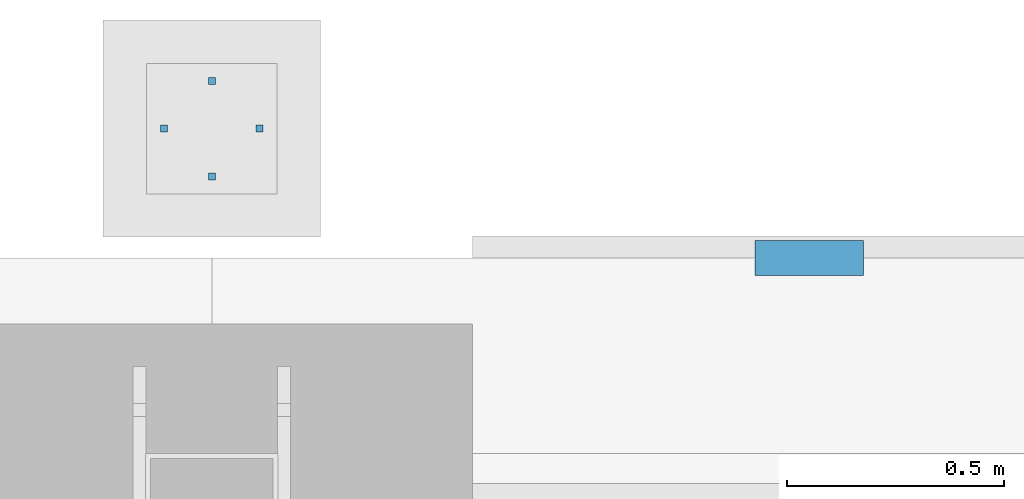
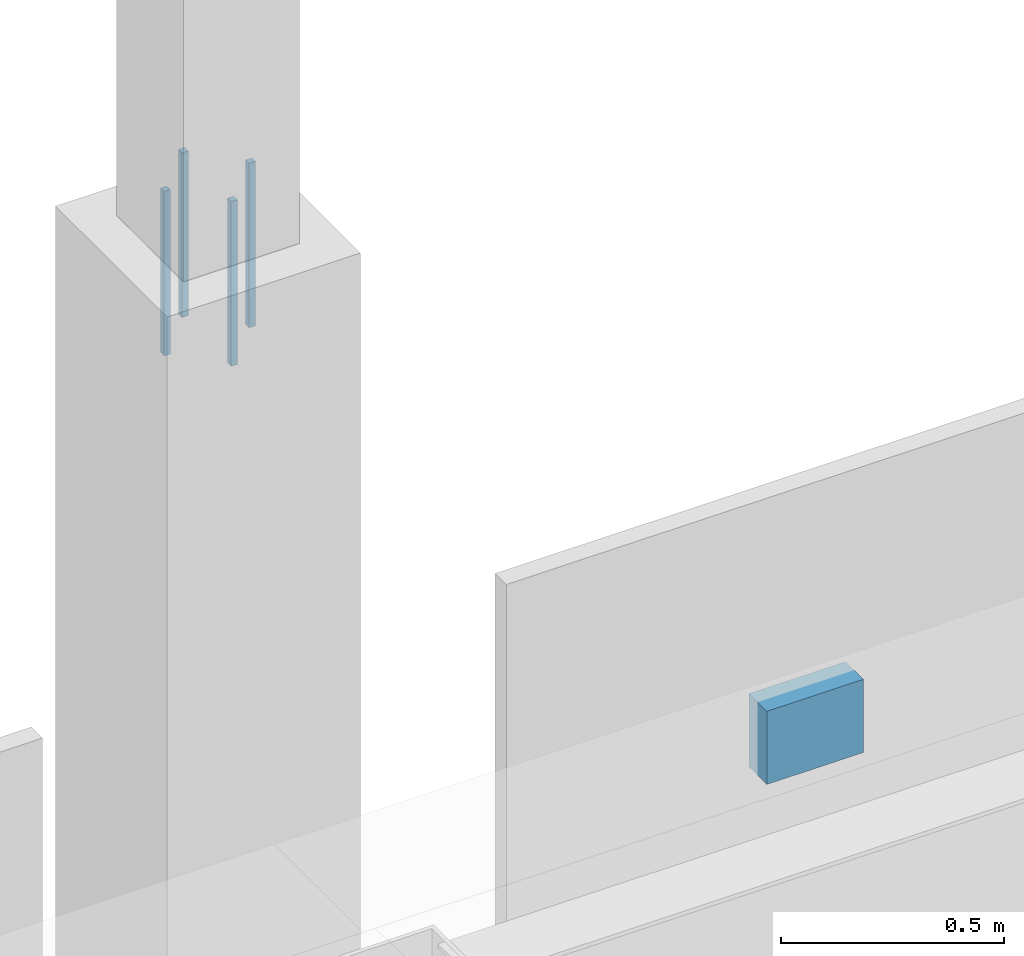
# One storey, part 236 of 278: 4 mechanical fasteners, 1 discrete accessory.
"""IFC4 building model written with IfcOpenShell, lengths in metres."""

import ifcopenshell
import ifcopenshell.guid

model = None  # the IFC model being written
_history = None  # IfcOwnerHistory: only IFC2X3 demands one
_inside = {}  # id of a spatial element -> (the spatial element, [elements in it])
_under = {}  # id of a project, library or spatial element -> (it, [spatial elements below it])
_declared = {}  # id of a project -> (the project, [libraries it declares])
_typed = {}  # id of a type object -> (the type object, [elements of that type])
_made_of = {}  # id of a material, layer set ... -> (it, [elements and type objects made of it])


def new_model(schema):
    """Start an empty IFC model of exactly this schema.

    Asked for "IFC4X3", IfcOpenShell would pick the latest addendum, in which some entities
    have other attributes; the version numbers below select the first issue.
    IFC2X3 requires an IfcOwnerHistory on every rooted entity: one is made here for all.
    """
    global model, _history
    if schema == "IFC4X3":
        model = ifcopenshell.file(schema_version=(4, 3, 0, 0))
    else:
        model = ifcopenshell.file(schema=schema)
    _inside.clear()
    _under.clear()
    _declared.clear()
    _typed.clear()
    _made_of.clear()
    _history = None
    if model.schema == "IFC2X3":
        org = make("IfcOrganization", Name="unknown")
        user = make(
            "IfcPersonAndOrganization",
            ThePerson=make("IfcPerson", FamilyName="unknown"),
            TheOrganization=org,
        )
        app = make(
            "IfcApplication",
            ApplicationDeveloper=org,
            Version="unknown",
            ApplicationFullName="unknown",
            ApplicationIdentifier="unknown",
        )
        _history = make(
            "IfcOwnerHistory",
            OwningUser=user,
            OwningApplication=app,
            ChangeAction="ADDED",
            CreationDate=0,
        )
    return model


def make(cls, **values):
    """One entity of the class cls with the attributes given. An attribute that is None is left unset."""
    return model.create_entity(
        cls, **{name: value for name, value in values.items() if value is not None}
    )


def rooted(cls, **values):
    """An entity with a GlobalId (a new one), such as an element, a storey or a relation."""
    return make(cls, GlobalId=ifcopenshell.guid.new(), OwnerHistory=_history, **values)


def si_unit(unit_type, name, prefix=None):
    """IfcSIUnit, for example si_unit("LENGTHUNIT", "METRE", prefix="MILLI")."""
    return make("IfcSIUnit", UnitType=unit_type, Prefix=prefix, Name=name)


def assignment(units):
    """IfcUnitAssignment: the units of a project."""
    return None if units is None else make("IfcUnitAssignment", Units=units)


def point(xyz):
    """IfcCartesianPoint."""
    return None if xyz is None else make("IfcCartesianPoint", Coordinates=xyz)


def direction(xyz):
    """IfcDirection."""
    return None if xyz is None else make("IfcDirection", DirectionRatios=xyz)


def frame(location, z_axis=None, x_axis=None):
    """IfcAxis2Placement3D, a coordinate frame: its origin and axes. An axis left out is left unset."""
    return make(
        "IfcAxis2Placement3D",
        Location=point(location),
        Axis=direction(z_axis),
        RefDirection=direction(x_axis),
    )


def frame_2d(location, x_axis=None):
    """IfcAxis2Placement2D, a coordinate frame in the plane: its origin and x axis."""
    return make(
        "IfcAxis2Placement2D", Location=point(location), RefDirection=direction(x_axis)
    )


def origin():
    """The frame at (0, 0, 0) with its axes left unset."""
    return frame((0.0, 0.0, 0.0))


def origin_2d():
    """The frame at (0, 0) in the plane with its x axis left unset."""
    return frame_2d((0.0, 0.0))


def place(relative_to, where):
    """IfcLocalPlacement: puts the frame where relative to a parent placement (None: the world)."""
    return make(
        "IfcLocalPlacement", PlacementRelTo=relative_to, RelativePlacement=where
    )


def context(
    kind, dimensions, precision=None, world=None, true_north=None, identifier=None
):
    """IfcGeometricRepresentationContext, for example the 3D "Model" context."""
    return make(
        "IfcGeometricRepresentationContext",
        ContextIdentifier=identifier,
        ContextType=kind,
        CoordinateSpaceDimension=dimensions,
        Precision=precision,
        WorldCoordinateSystem=world,
        TrueNorth=true_north,
    )


def subcontext(parent, identifier, kind, view, scale=None):
    """IfcGeometricRepresentationSubContext, for example "Body" below "Model"."""
    return make(
        "IfcGeometricRepresentationSubContext",
        ContextIdentifier=identifier,
        ContextType=kind,
        ParentContext=parent,
        TargetScale=scale,
        TargetView=view,
    )


def project(units=None, contexts=None):
    """IfcProject with its units and contexts."""
    return rooted(
        "IfcProject",
        Name="project",
        RepresentationContexts=contexts,
        UnitsInContext=assignment(units),
    )


def spatial(cls, under=None, at=None, **own):
    """A site, building, storey or space (cls), placed at a placement, below another one or the project."""
    s = rooted(cls, ObjectPlacement=at, **own)
    if under is not None:
        _under.setdefault(under.id(), (under, []))[1].append(s)
    return s


def profile(cls, at=None, kind="AREA", **sizes):
    """A parametric profile (cls). Its sizes go by their IFC names, for example OverallWidth=200.0."""
    return make(cls, ProfileType=kind, Position=at, **sizes)


def rectangle(**sizes):
    """IfcRectangleProfileDef."""
    return profile("IfcRectangleProfileDef", **sizes)


def extrude(swept, where, along, depth):
    """IfcExtrudedAreaSolid: the profile swept, set in the frame where, extruded along a direction by depth."""
    return make(
        "IfcExtrudedAreaSolid",
        SweptArea=swept,
        Position=where,
        ExtrudedDirection=direction(along),
        Depth=depth,
    )


def shape(context_of_items, identifier, shape_type, items):
    """IfcShapeRepresentation: the items that make up one representation, for example the "Body"."""
    return make(
        "IfcShapeRepresentation",
        ContextOfItems=context_of_items,
        RepresentationIdentifier=identifier,
        RepresentationType=shape_type,
        Items=items,
    )


def material(Name=None, Category=None):
    """IfcMaterial."""
    return make("IfcMaterial", Name=Name, Category=Category)


def layer(
    of_material, thickness, ventilated=None, Name=None, Category=None, Priority=None
):
    """IfcMaterialLayer: one layer of a wall or slab, of a material (None: an air gap)."""
    return make(
        "IfcMaterialLayer",
        Material=of_material,
        LayerThickness=thickness,
        IsVentilated=ventilated,
        Name=Name,
        Category=Category,
        Priority=Priority,
    )


def layer_set(layers, Name=None):
    """IfcMaterialLayerSet."""
    return make("IfcMaterialLayerSet", MaterialLayers=layers, LayerSetName=Name)


def made_of(thing, what):
    """Note that an element or type object is made of a material, layer set ...; save() writes the relation."""
    if what is not None:
        _made_of.setdefault(what.id(), (what, []))[1].append(thing)
    return thing


def type_object(cls, material=None, **own):
    """A type object (cls), such as IfcWallType, which elements share."""
    return made_of(rooted(cls, **own), material)


def element(
    cls,
    number,
    at=None,
    inside=None,
    cuts=None,
    type_object=None,
    material=None,
    context=None,
    identifier="Body",
    shape_type=None,
    held_by="IfcProductDefinitionShape",
    body=None,
    shapes=None,
    **own,
):
    """One element of the class cls, such as IfcWall. Its Tag is "e" and its number.

    at: its placement. inside: the storey or other place that contains it. cuts: it is an
    opening in that element (IfcRelVoidsElement). A single representation is given by context,
    identifier, shape_type and body (its items); several are given by shapes. held_by: the class
    of the entity that holds the representations. save() writes the other relations.
    """
    e = rooted(cls, Tag="e%d" % number, ObjectPlacement=at, **own)
    if body is not None:
        shapes = [shape(context, identifier, shape_type, body)]
    if shapes is not None:
        e.Representation = make(held_by, Representations=shapes)
    if inside is not None:
        _inside.setdefault(inside.id(), (inside, []))[1].append(e)
    if cuts is not None:
        rooted(
            "IfcRelVoidsElement", RelatingBuildingElement=cuts, RelatedOpeningElement=e
        )
    if type_object is not None:
        _typed.setdefault(type_object.id(), (type_object, []))[1].append(e)
    return made_of(e, material)


def aggregate(whole, parts):
    """IfcRelAggregates: a whole, such as a stair, and the parts it consists of."""
    return rooted("IfcRelAggregates", RelatingObject=whole, RelatedObjects=parts)


def save(model, path):
    """Write the relations noted so far, then the file.

    IfcRelAggregates (storeys below a building ...), IfcRelContainedInSpatialStructure (elements
    in a storey), IfcRelDefinesByType, IfcRelAssociatesMaterial and IfcRelDeclares: one each for
    every whole, place, type object, material and project.
    """
    for whole, parts in _under.values():
        aggregate(whole, parts)
    for where, things in _inside.values():
        rooted(
            "IfcRelContainedInSpatialStructure",
            RelatedElements=things,
            RelatingStructure=where,
        )
    for kind, things in _typed.values():
        rooted("IfcRelDefinesByType", RelatedObjects=things, RelatingType=kind)
    for what, things in _made_of.values():
        rooted("IfcRelAssociatesMaterial", RelatedObjects=things, RelatingMaterial=what)
    for by, libraries in _declared.values():
        rooted("IfcRelDeclares", RelatingContext=by, RelatedDefinitions=libraries)
    model.write(path)


model = new_model("IFC4")

# Units and contexts
model_context = context("Model", 3, precision=1e-05, world=origin(), true_north=direction((0.0, 1.0)))
body_context = subcontext(model_context, "Body", "Model", "MODEL_VIEW")
ifc_project = project(units=[si_unit("LENGTHUNIT", "METRE"), si_unit("AREAUNIT", "SQUARE_METRE"), si_unit("VOLUMEUNIT", "CUBIC_METRE"), si_unit("PLANEANGLEUNIT", "RADIAN"), si_unit("MASSUNIT", "GRAM", prefix="KILO")], contexts=[model_context])

# Site, building, storey
site_placement = place(None, origin())
site = spatial("IfcSite", under=ifc_project, at=site_placement, CompositionType="ELEMENT")
building_placement = place(site_placement, origin())
building = spatial("IfcBuilding", under=site, at=building_placement, Name="Ogive Plaza Stadium", CompositionType="ELEMENT")
storey_placement = place(building_placement, frame((0.0, 0.0, 29.0)))
storey = spatial("IfcBuildingStorey", under=building, at=storey_placement, Name="Roof", CompositionType="ELEMENT", Elevation=29.0)

# Mechanical fasteners
ifc_material_1 = material(Name="Steel ASTM A992 Grade 50", Category="steel")
mechanical_fastener_type = type_object("IfcMechanicalFastenerType", Name="Spire anchor bolt M16 x 450", PredefinedType="ANCHORBOLT", material=ifc_material_1)
for number, where, z_axis, x_axis, name in (
    (1, (-6.800048828125, 103.510009765625, 6.7001953125), (0.0, 0.0, 1.0), (0.0, 1.0, 0.0), "SPIRE ANCHOR BOLT 34 1"),
    (2, (-6.800048828125, 103.2900390625, 6.7001953125), (0.0, 0.0, 1.0), (0.0, 1.0, 0.0), "SPIRE ANCHOR BOLT 34 2"),
    (3, (-6.909912109375, 103.39990234375, 6.7001953125), (0.0, 0.0, 1.0), (0.0, 1.0, 0.0), "SPIRE ANCHOR BOLT 34 3"),
    (4, (-6.68994140625, 103.39990234375, 6.7001953125), (0.0, 0.0, 1.0), (0.0, 1.0, 0.0), "SPIRE ANCHOR BOLT 34 4"),
):
    element("IfcMechanicalFastener", number, at=place(storey_placement, frame(where, z_axis=z_axis, x_axis=x_axis)), inside=storey, type_object=mechanical_fastener_type, Name=name, PredefinedType="ANCHORBOLT", context=body_context, shape_type="SweptSolid", body=[
        extrude(rectangle(XDim=0.01611328125, YDim=0.01611328125, at=origin_2d()), origin(), (0.0, 0.0, 1.0), 0.449951171875),
    ])

# Discrete accessory
ifc_material_2 = material(Name="Steel ASTM A572 Grade 50", Category="steel")
ifc_layer = layer(ifc_material_2, 0.080078125)
ifc_layer_set = layer_set([ifc_layer], Name="Steel ASTM A572 Grade 50")
discrete_accessory_type = type_object("IfcDiscreteAccessoryType", Name="Tracery screen bracket 250x200", PredefinedType="BRACKET", material=ifc_layer_set)
discrete_accessory_placement = place(storey_placement, frame((-5.425048828125, 103.102294921875, 5.25), z_axis=(0.0, 0.0, 1.0), x_axis=(1.0, 0.0, 0.0)))
element("IfcDiscreteAccessory", 5, at=discrete_accessory_placement, inside=storey, type_object=discrete_accessory_type, Name="TRACERY SCREEN BRACKET B34 1", PredefinedType="BRACKET", context=body_context, shape_type="SweptSolid", body=[
    extrude(rectangle(XDim=0.25, YDim=0.080078125, at=origin_2d()), origin(), (0.0, 0.0, 1.0), 0.199951171875),
])

save(model, "model.ifc")
